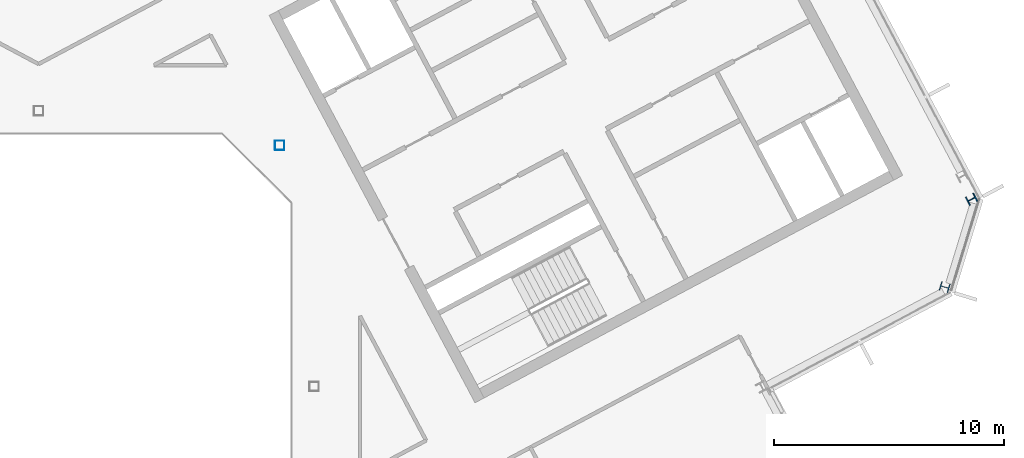
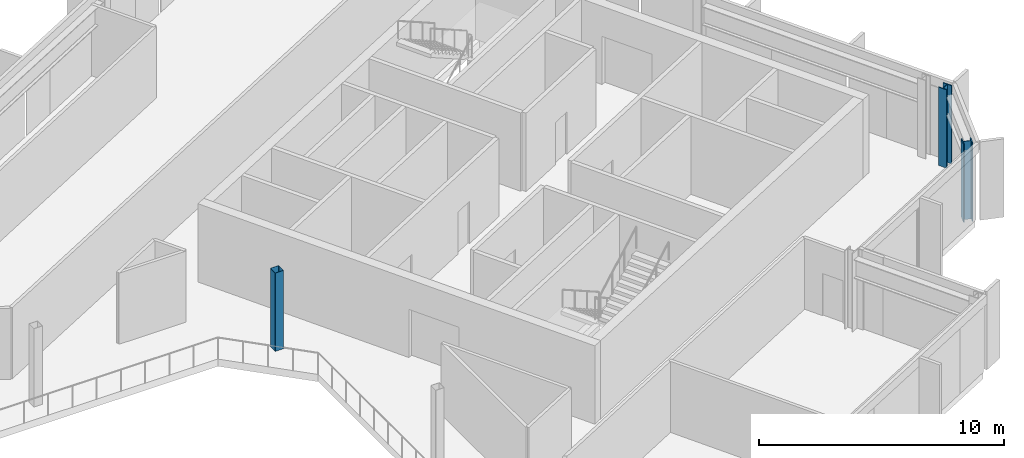
# One storey, part 6 of 26: 3 columns.
"""IFC4 building model written with IfcOpenShell, lengths in metres."""

from ifc_helpers import new_model, si_unit, direction, frame, origin, origin_2d, place, context, subcontext, project, spatial, hollow_rectangle, i_section, extrude, material, material_profile, profile_set, type_object, element, save


model = new_model("IFC4")

# Units and contexts
model_context = context("Model", 3, precision=1e-05, world=origin(), true_north=direction((0.0, 1.0)))
body_context = subcontext(model_context, "Body", "Model", "MODEL_VIEW")
ifc_project = project(units=[si_unit("LENGTHUNIT", "METRE"), si_unit("AREAUNIT", "SQUARE_METRE"), si_unit("VOLUMEUNIT", "CUBIC_METRE"), si_unit("PLANEANGLEUNIT", "RADIAN"), si_unit("MASSUNIT", "GRAM", prefix="KILO")], contexts=[model_context])

# Site, building, storey
site_placement = place(None, origin())
site = spatial("IfcSite", under=ifc_project, at=site_placement, CompositionType="ELEMENT")
building_placement = place(site_placement, origin())
building = spatial("IfcBuilding", under=site, at=building_placement, Name="Cormorant Relay Tower", CompositionType="ELEMENT")
storey_placement = place(building_placement, frame((0.0, 0.0, 269.699951171875)))
storey = spatial("IfcBuildingStorey", under=building, at=storey_placement, Name="L60", CompositionType="ELEMENT", Elevation=269.699951171875)

# Columns
ifc_material_1 = material(Name="Steel ASTM A500 Grade C (Fy 345 MPa)", Category="steel")
ifc_material_profile_1 = material_profile(ifc_material_1, hollow_rectangle(XDim=0.406494140625, YDim=0.406494140625, WallThickness=0.0087890625, InnerFilletRadius=0.00439453125, OuterFilletRadius=0.01318359375, at=origin_2d()), Name="HSS406x406x9")
ifc_profile_set_1 = profile_set([ifc_material_profile_1], Name="Steel ASTM A500 Grade C (Fy 345 MPa)")
column_type_1 = type_object("IfcColumnType", Name="Column HSS406x406x9", PredefinedType="COLUMN", material=ifc_profile_set_1)
column_placement = place(storey_placement, frame((10.5, 10.5, 0.0), z_axis=(0.0, 0.0, 1.0), x_axis=(1.0, 0.0, 0.0)))
element("IfcColumn", 1, at=column_placement, inside=storey, type_object=column_type_1, Name="Column L60-024", PredefinedType="COLUMN", context=body_context, shape_type="SweptSolid", body=[
    extrude(hollow_rectangle(XDim=0.406494140625, YDim=0.406494140625, WallThickness=0.0087890625, InnerFilletRadius=0.00439453125, OuterFilletRadius=0.01318359375, at=origin_2d()), origin(), (0.0, 0.0, 1.0), 3.900146484375),
])
ifc_material_2 = material(Name="Steel ASTM A992 (Fy 345 MPa)", Category="steel")
ifc_material_profile_2 = material_profile(ifc_material_2, i_section(OverallWidth=0.40380859375, OverallDepth=0.406494140625, WebThickness=0.027099609375, FlangeThickness=0.043701171875, FilletRadius=0.01513671875, at=origin_2d()), Name="W360x347")
ifc_profile_set_2 = profile_set([ifc_material_profile_2], Name="Steel ASTM A992 (Fy 345 MPa)")
column_type_2 = type_object("IfcColumnType", Name="Column W360x347", PredefinedType="COLUMN", material=ifc_profile_set_2)
for number, where, z_axis, x_axis, name in (
    (2, (39.464111328125, 4.330078125, 0.0), (0.0, 0.0, 1.0), (0.292371704723, 0.956304755963, 0.0), "Column L60-019"),
    (3, (40.633056640625, 8.153076171875, 0.0), (0.0, 0.0, 1.0), (-0.469471562786, 0.882947592859, 0.0), "Column L60-020"),
):
    element("IfcColumn", number, at=place(storey_placement, frame(where, z_axis=z_axis, x_axis=x_axis)), inside=storey, type_object=column_type_2, Name=name, PredefinedType="COLUMN", context=body_context, shape_type="SweptSolid", body=[
        extrude(i_section(OverallWidth=0.40380859375, OverallDepth=0.406494140625, WebThickness=0.027099609375, FlangeThickness=0.043701171875, FilletRadius=0.01513671875, at=origin_2d()), origin(), (0.0, 0.0, 1.0), 3.900146484375),
    ])

save(model, "model.ifc")
